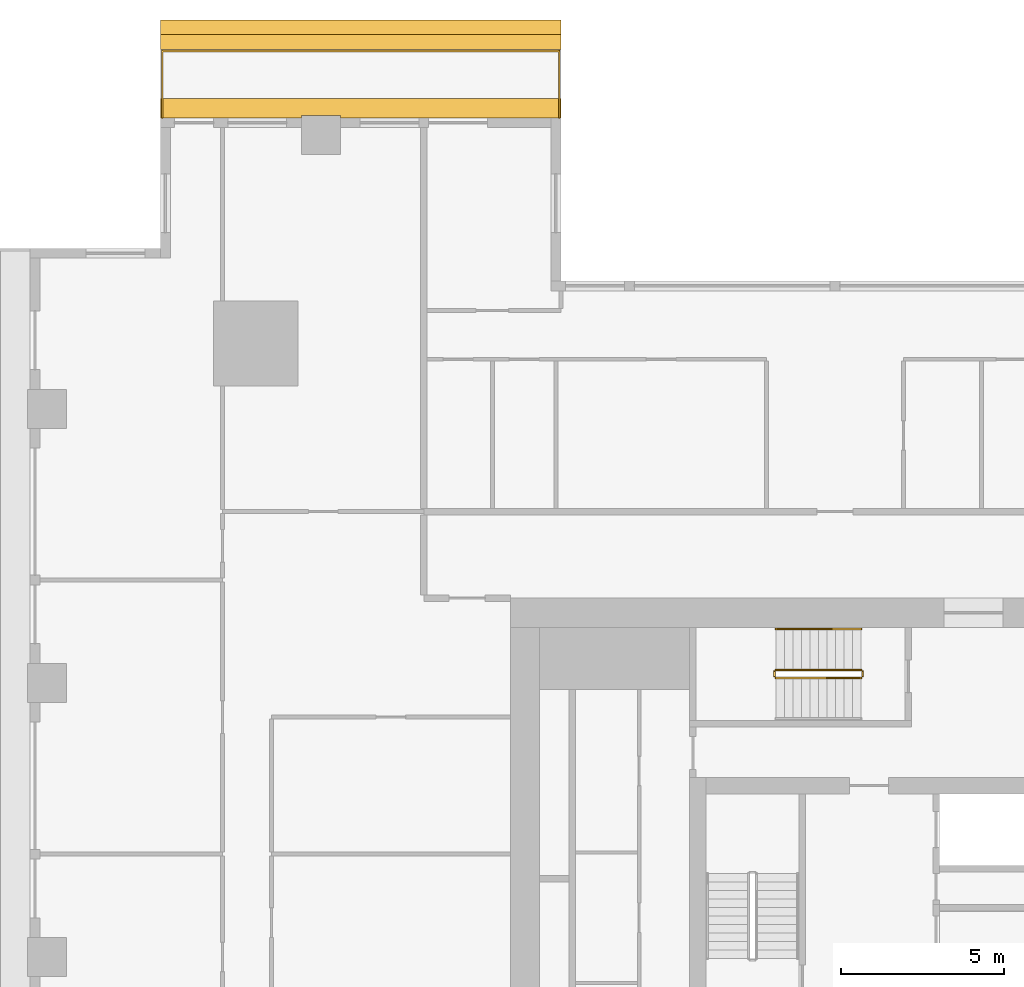
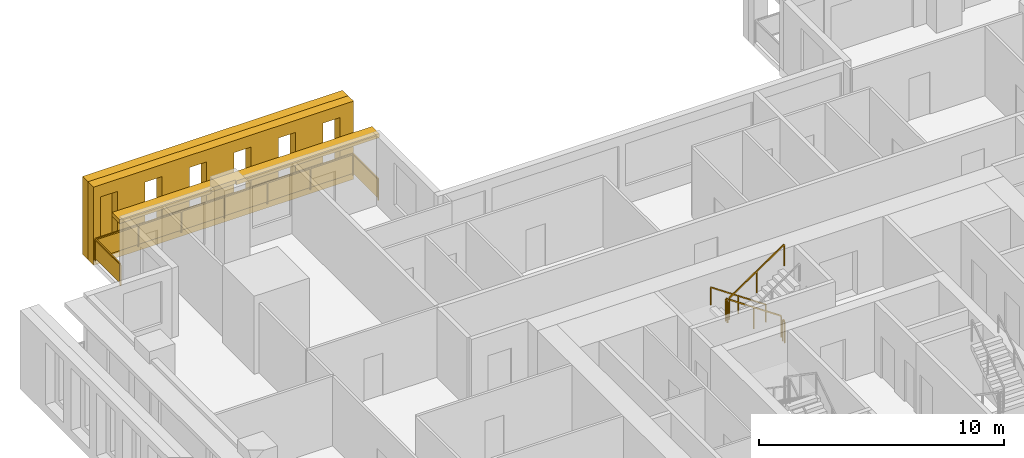
# One storey, part 14 of 15: 6 railings, 3 shading devices.
"""IFC4 building model written with IfcOpenShell, lengths in metres."""

from ifc_helpers import new_model, si_unit, direction, frame, origin, origin_2d, place, context, subcontext, project, spatial, polyline, rectangle, outline, extrude, material, layer, layer_set, type_object, element, save


model = new_model("IFC4")

# Units and contexts
model_context = context("Model", 3, precision=1e-05, world=origin(), true_north=direction((0.0, 1.0)))
body_context = subcontext(model_context, "Body", "Model", "MODEL_VIEW")
ifc_project = project(units=[si_unit("LENGTHUNIT", "METRE"), si_unit("AREAUNIT", "SQUARE_METRE"), si_unit("VOLUMEUNIT", "CUBIC_METRE"), si_unit("PLANEANGLEUNIT", "RADIAN"), si_unit("MASSUNIT", "GRAM", prefix="KILO")], contexts=[model_context])

# Site, building, storey
site_placement = place(None, origin())
site = spatial("IfcSite", under=ifc_project, at=site_placement, CompositionType="ELEMENT")
building_placement = place(site_placement, origin())
building = spatial("IfcBuilding", under=site, at=building_placement, Name="Khepri Terraces", CompositionType="ELEMENT")
storey_placement = place(building_placement, frame((0.0, 0.0, 161.10009765625)))
storey = spatial("IfcBuildingStorey", under=building, at=storey_placement, Name="L38", CompositionType="ELEMENT", Elevation=161.10009765625)

# Railings
ifc_material_1 = material(Name="Stainless steel grade 316", Category="steel")
railing_type_1 = type_object("IfcRailingType", Name="GRD-BAL-1100", PredefinedType="GUARDRAIL", material=ifc_material_1)
railing_1_placement = place(storey_placement, frame((-9.5, 25.719970703125, 0.0)))
element("IfcRailing", 1, at=railing_1_placement, inside=storey, type_object=railing_type_1, Name="Balcony guard L38 N", PredefinedType="GUARDRAIL", context=body_context, shape_type="SweptSolid", body=[
    extrude(rectangle(XDim=0.050048828125, YDim=0.06005859375, at=origin_2d()), frame((0.0, 0.0, 1.070068359375), z_axis=(0.0, 1.0, 0.0), x_axis=(-1.0, 0.0, 0.0)), (0.0, 0.0, 1.0), 2.050048828125),
    extrude(rectangle(XDim=2.0, YDim=0.011962890625, at=origin_2d()), frame((0.0, 1.02490234375, 0.10009765625), z_axis=(0.0, 0.0, 1.0), x_axis=(0.0, 1.0, 0.0)), (0.0, 0.0, 1.0), 0.93994140625),
    extrude(rectangle(XDim=0.050048828125, YDim=0.06005859375, at=origin_2d()), frame((0.0, 2.050048828125, 1.070068359375), z_axis=(-1.0, 0.0, 0.0), x_axis=(0.0, -1.0, 0.0)), (0.0, 0.0, 1.0), 12.169921875),
    extrude(rectangle(XDim=1.978271484375, YDim=0.011962890625, at=origin_2d()), frame((-1.01416015625, 2.050048828125, 0.10009765625), z_axis=(0.0, 0.0, 1.0), x_axis=(-1.0, 0.0, 0.0)), (0.0, 0.0, 1.0), 0.93994140625),
    extrude(rectangle(XDim=1.978271484375, YDim=0.011962890625, at=origin_2d()), frame((-3.04248046875, 2.050048828125, 0.10009765625), z_axis=(0.0, 0.0, 1.0), x_axis=(-1.0, 0.0, 0.0)), (0.0, 0.0, 1.0), 0.93994140625),
    extrude(rectangle(XDim=1.978271484375, YDim=0.011962890625, at=origin_2d()), frame((-5.07080078125, 2.050048828125, 0.10009765625), z_axis=(0.0, 0.0, 1.0), x_axis=(-1.0, 0.0, 0.0)), (0.0, 0.0, 1.0), 0.93994140625),
    extrude(rectangle(XDim=1.978271484375, YDim=0.011962890625, at=origin_2d()), frame((-7.09912109375, 2.050048828125, 0.10009765625), z_axis=(0.0, 0.0, 1.0), x_axis=(-1.0, 0.0, 0.0)), (0.0, 0.0, 1.0), 0.93994140625),
    extrude(rectangle(XDim=1.978271484375, YDim=0.011962890625, at=origin_2d()), frame((-9.12744140625, 2.050048828125, 0.10009765625), z_axis=(0.0, 0.0, 1.0), x_axis=(-1.0, 0.0, 0.0)), (0.0, 0.0, 1.0), 0.93994140625),
    extrude(rectangle(XDim=1.978271484375, YDim=0.011962890625, at=origin_2d()), frame((-11.15576171875, 2.050048828125, 0.10009765625), z_axis=(0.0, 0.0, 1.0), x_axis=(-1.0, 0.0, 0.0)), (0.0, 0.0, 1.0), 0.93994140625),
    extrude(rectangle(XDim=0.050048828125, YDim=0.06005859375, at=origin_2d()), frame((-12.169921875, 2.050048828125, 1.070068359375), z_axis=(0.0, -1.0, 0.0), x_axis=(1.0, 0.0, 0.0)), (0.0, 0.0, 1.0), 2.050048828125),
    extrude(rectangle(XDim=2.0, YDim=0.011962890625, at=origin_2d()), frame((-12.169921875, 1.02490234375, 0.10009765625), z_axis=(0.0, 0.0, 1.0), x_axis=(0.0, -1.0, 0.0)), (0.0, 0.0, 1.0), 0.93994140625),
    extrude(rectangle(XDim=0.050048828125, YDim=0.050048828125, at=origin_2d()), origin(), (0.0, 0.0, 1.0), 1.0400390625),
    extrude(rectangle(XDim=0.050048828125, YDim=0.050048828125, at=origin_2d()), frame((0.0, 2.050048828125, 0.0)), (0.0, 0.0, 1.0), 1.0400390625),
    extrude(rectangle(XDim=0.050048828125, YDim=0.050048828125, at=origin_2d()), frame((-2.0283203125, 2.050048828125, 0.0)), (0.0, 0.0, 1.0), 1.0400390625),
    extrude(rectangle(XDim=0.050048828125, YDim=0.050048828125, at=origin_2d()), frame((-4.056640625, 2.050048828125, 0.0)), (0.0, 0.0, 1.0), 1.0400390625),
    extrude(rectangle(XDim=0.050048828125, YDim=0.050048828125, at=origin_2d()), frame((-6.0849609375, 2.050048828125, 0.0)), (0.0, 0.0, 1.0), 1.0400390625),
    extrude(rectangle(XDim=0.050048828125, YDim=0.050048828125, at=origin_2d()), frame((-8.11328125, 2.050048828125, 0.0)), (0.0, 0.0, 1.0), 1.0400390625),
    extrude(rectangle(XDim=0.050048828125, YDim=0.050048828125, at=origin_2d()), frame((-10.1416015625, 2.050048828125, 0.0)), (0.0, 0.0, 1.0), 1.0400390625),
    extrude(rectangle(XDim=0.050048828125, YDim=0.050048828125, at=origin_2d()), frame((-12.169921875, 2.050048828125, 0.0)), (0.0, 0.0, 1.0), 1.0400390625),
    extrude(rectangle(XDim=0.050048828125, YDim=0.050048828125, at=origin_2d()), frame((-12.169921875, 0.0, 0.0)), (0.0, 0.0, 1.0), 1.0400390625),
])
ifc_material_2 = material(Name="Stainless steel 316", Category="steel")
railing_type_2 = type_object("IfcRailingType", Name="RL-CORE-GUARD", PredefinedType="GUARDRAIL", material=ifc_material_2)
railing_2_placement = place(storey_placement, frame((-0.25, 8.800048828125, 0.17724609375)))
element("IfcRailing", 2, at=railing_2_placement, inside=storey, type_object=railing_type_2, Name="L38 ST-3 stair guard 1", PredefinedType="GUARDRAIL", context=body_context, shape_type="SweptSolid", body=[
    extrude(rectangle(XDim=0.050048828125, YDim=0.06005859375, at=origin_2d()), frame((0.0, 0.0, 1.070068359375), z_axis=(-0.826240473404, 0.0, 0.563317565952), x_axis=(0.0, -1.0, 0.0)), (0.0, 0.0, 1.0), 3.14697265625),
    extrude(rectangle(XDim=0.050048828125, YDim=0.050048828125, at=origin_2d()), origin(), (0.0, 0.0, 1.0), 1.0400390625),
    extrude(rectangle(XDim=0.050048828125, YDim=0.050048828125, at=origin_2d()), frame((-1.300048828125, 0.0, 0.88623046875)), (0.0, 0.0, 1.0), 1.0400390625),
    extrude(rectangle(XDim=0.050048828125, YDim=0.050048828125, at=origin_2d()), frame((-2.60009765625, 0.0, 1.772705078125)), (0.0, 0.0, 1.0), 1.0400390625),
])
railing_3_placement = place(storey_placement, frame((-2.89990234375, 8.75, 1.949951171875)))
element("IfcRailing", 3, at=railing_3_placement, inside=storey, type_object=railing_type_2, Name="L38 ST-3 stair guard 2", PredefinedType="GUARDRAIL", context=body_context, shape_type="SweptSolid", body=[
    extrude(rectangle(XDim=0.050048828125, YDim=0.06005859375, at=origin_2d()), frame((0.0, 0.0, 1.070068359375), z_axis=(0.0, -1.0, 0.0), x_axis=(1.0, 0.0, 0.0)), (0.0, 0.0, 1.0), 0.14990234375),
    extrude(rectangle(XDim=0.050048828125, YDim=0.050048828125, at=origin_2d()), origin(), (0.0, 0.0, 1.0), 1.0400390625),
    extrude(rectangle(XDim=0.050048828125, YDim=0.050048828125, at=origin_2d()), frame((0.0, -0.14990234375, 0.0)), (0.0, 0.0, 1.0), 1.0400390625),
])
railing_4_placement = place(storey_placement, frame((-2.85009765625, 8.550048828125, 2.127197265625)))
element("IfcRailing", 4, at=railing_4_placement, inside=storey, type_object=railing_type_2, Name="L38 ST-3 stair guard 3", PredefinedType="GUARDRAIL", context=body_context, shape_type="SweptSolid", body=[
    extrude(rectangle(XDim=0.050048828125, YDim=0.06005859375, at=origin_2d()), frame((0.0, 0.0, 1.070068359375), z_axis=(0.826240473404, 0.0, 0.563317565952), x_axis=(0.0, 1.0, 0.0)), (0.0, 0.0, 1.0), 3.14697265625),
    extrude(rectangle(XDim=0.050048828125, YDim=0.050048828125, at=origin_2d()), origin(), (0.0, 0.0, 1.0), 1.0400390625),
    extrude(rectangle(XDim=0.050048828125, YDim=0.050048828125, at=origin_2d()), frame((1.300048828125, 0.0, 0.88623046875)), (0.0, 0.0, 1.0), 1.0400390625),
    extrude(rectangle(XDim=0.050048828125, YDim=0.050048828125, at=origin_2d()), frame((2.60009765625, 0.0, 1.772705078125)), (0.0, 0.0, 1.0), 1.0400390625),
])
railing_5_placement = place(storey_placement, frame((-0.199951171875, 8.75, 0.0)))
element("IfcRailing", 5, at=railing_5_placement, inside=storey, type_object=railing_type_2, Name="L38 ST-3 stair guard 4", PredefinedType="GUARDRAIL", context=body_context, shape_type="SweptSolid", body=[
    extrude(rectangle(XDim=0.050048828125, YDim=0.06005859375, at=origin_2d()), frame((0.0, 0.0, 1.070068359375), z_axis=(0.0, -1.0, 0.0), x_axis=(1.0, 0.0, 0.0)), (0.0, 0.0, 1.0), 0.14990234375),
    extrude(rectangle(XDim=0.050048828125, YDim=0.050048828125, at=origin_2d()), origin(), (0.0, 0.0, 1.0), 1.0400390625),
    extrude(rectangle(XDim=0.050048828125, YDim=0.050048828125, at=origin_2d()), frame((0.0, -0.14990234375, 0.0)), (0.0, 0.0, 1.0), 1.0400390625),
])
railing_type_3 = type_object("IfcRailingType", Name="RL-CORE-HANDRAIL", PredefinedType="HANDRAIL", material=ifc_material_2)
railing_6_placement = place(storey_placement, frame((-0.25, 10.050048828125, 0.17724609375)))
element("IfcRailing", 6, at=railing_6_placement, inside=storey, type_object=railing_type_3, Name="L38 ST-3 stair handrail 1", PredefinedType="HANDRAIL", context=body_context, shape_type="SweptSolid", body=[
    extrude(rectangle(XDim=0.050048828125, YDim=0.050048828125, at=origin_2d()), frame((0.0, 0.0, 0.875), z_axis=(-0.826240473404, 0.0, 0.563317565952), x_axis=(0.0, -1.0, 0.0)), (0.0, 0.0, 1.0), 3.14697265625),
    extrude(rectangle(XDim=0.050048828125, YDim=0.050048828125, at=origin_2d()), origin(), (0.0, 0.0, 1.0), 0.849853515625),
    extrude(rectangle(XDim=0.050048828125, YDim=0.050048828125, at=origin_2d()), frame((-1.300048828125, 0.0, 0.88623046875)), (0.0, 0.0, 1.0), 0.849853515625),
    extrude(rectangle(XDim=0.050048828125, YDim=0.050048828125, at=origin_2d()), frame((-2.60009765625, 0.0, 1.772705078125)), (0.0, 0.0, 1.0), 0.849853515625),
])

# Shading devices
ifc_material_3 = material(Name="Precast concrete C50/60 warm stone", Category="masonry")
shading_device_type_1 = type_object("IfcShadingDeviceType", Name="SCR-CELL-INNER-450", PredefinedType="USERDEFINED", material=ifc_material_3)
shading_device_1_placement = place(storey_placement, frame((-9.449951171875, 27.820068359375, -0.25), z_axis=(0.0, 1.0, 0.0), x_axis=(-1.0, 0.0, 0.0)))
element("IfcShadingDevice", 7, at=shading_device_1_placement, inside=storey, type_object=shading_device_type_1, Name="Cell screen L38 N in", ObjectType="SCREEN", PredefinedType="USERDEFINED", context=body_context, shape_type="SweptSolid", body=[
    extrude(outline(polyline([(0.0, 0.0), (12.27001953125, 0.0), (12.27001953125, 3.89990234375), (0.0, 3.89990234375), (0.0, 0.0)]), holes=[polyline([(0.6484375, 0.699951171875), (1.45166015625, 0.699951171875), (1.45166015625, 3.300048828125), (0.6484375, 3.300048828125), (0.6484375, 0.699951171875)]), polyline([(2.748291015625, 0.699951171875), (3.551513671875, 0.699951171875), (3.551513671875, 3.300048828125), (2.748291015625, 3.300048828125), (2.748291015625, 0.699951171875)]), polyline([(4.848388671875, 0.699951171875), (5.651611328125, 0.699951171875), (5.651611328125, 3.300048828125), (4.848388671875, 3.300048828125), (4.848388671875, 0.699951171875)]), polyline([(6.948486328125, 0.699951171875), (7.751708984375, 0.699951171875), (7.751708984375, 3.300048828125), (6.948486328125, 3.300048828125), (6.948486328125, 0.699951171875)]), polyline([(9.04833984375, 0.699951171875), (9.8515625, 0.699951171875), (9.8515625, 3.300048828125), (9.04833984375, 3.300048828125), (9.04833984375, 0.699951171875)]), polyline([(11.1484375, 0.699951171875), (11.95166015625, 0.699951171875), (11.95166015625, 3.300048828125), (11.1484375, 3.300048828125), (11.1484375, 0.699951171875)])]), origin(), (0.0, 0.0, 1.0), 0.449951171875),
])
shading_device_type_2 = type_object("IfcShadingDeviceType", Name="SCR-CELL-OUTER-450", PredefinedType="USERDEFINED", material=ifc_material_3)
shading_device_2_placement = place(storey_placement, frame((-9.449951171875, 28.27001953125, -0.25), z_axis=(0.0, 1.0, 0.0), x_axis=(-1.0, 0.0, 0.0)))
element("IfcShadingDevice", 8, at=shading_device_2_placement, inside=storey, type_object=shading_device_type_2, Name="Cell screen L38 N out", ObjectType="SCREEN", PredefinedType="USERDEFINED", context=body_context, shape_type="SweptSolid", body=[
    extrude(outline(polyline([(0.0, 0.0), (12.27001953125, 0.0), (12.27001953125, 3.89990234375), (0.0, 3.89990234375), (0.0, 0.0)]), holes=[polyline([(0.29833984375, 0.449951171875), (1.801513671875, 0.449951171875), (1.801513671875, 3.550048828125), (0.29833984375, 3.550048828125), (0.29833984375, 0.449951171875)]), polyline([(2.3984375, 0.449951171875), (3.901611328125, 0.449951171875), (3.901611328125, 3.550048828125), (2.3984375, 3.550048828125), (2.3984375, 0.449951171875)]), polyline([(4.498291015625, 0.449951171875), (6.001708984375, 0.449951171875), (6.001708984375, 3.550048828125), (4.498291015625, 3.550048828125), (4.498291015625, 0.449951171875)]), polyline([(6.598388671875, 0.449951171875), (8.1015625, 0.449951171875), (8.1015625, 3.550048828125), (6.598388671875, 3.550048828125), (6.598388671875, 0.449951171875)]), polyline([(8.698486328125, 0.449951171875), (10.20166015625, 0.449951171875), (10.20166015625, 3.550048828125), (8.698486328125, 3.550048828125), (8.698486328125, 0.449951171875)])]), origin(), (0.0, 0.0, 1.0), 0.449951171875),
])
ifc_layer = layer(ifc_material_3, 0.199951171875, Name="Precast concrete C50/60 warm stone", Category="masonry")
ifc_layer_set = layer_set([ifc_layer], Name="Precast concrete C50/60 warm stone")
shading_device_type_3 = type_object("IfcShadingDeviceType", Name="SSH-BAND-STONE-200-N", PredefinedType="USERDEFINED", material=ifc_layer_set)
shading_device_3_placement = place(storey_placement, frame((0.0, 0.0, 3.099853515625)))
element("IfcShadingDevice", 9, at=shading_device_3_placement, inside=storey, type_object=shading_device_type_3, Name="Sunshade band L38 N", ObjectType="SUNSHADE", PredefinedType="USERDEFINED", context=body_context, shape_type="SweptSolid", body=[
    extrude(outline(polyline([(-16.199951171875, 25.719970703125), (-9.449951171875, 25.719970703125), (-9.449951171875, 26.320068359375), (-21.719970703125, 26.320068359375), (-21.719970703125, 25.719970703125), (-17.39990234375, 25.719970703125), (-17.39990234375, 25.800048828125), (-16.199951171875, 25.800048828125), (-16.199951171875, 25.719970703125)])), origin(), (0.0, 0.0, 1.0), 0.199951171875),
])

save(model, "model.ifc")
